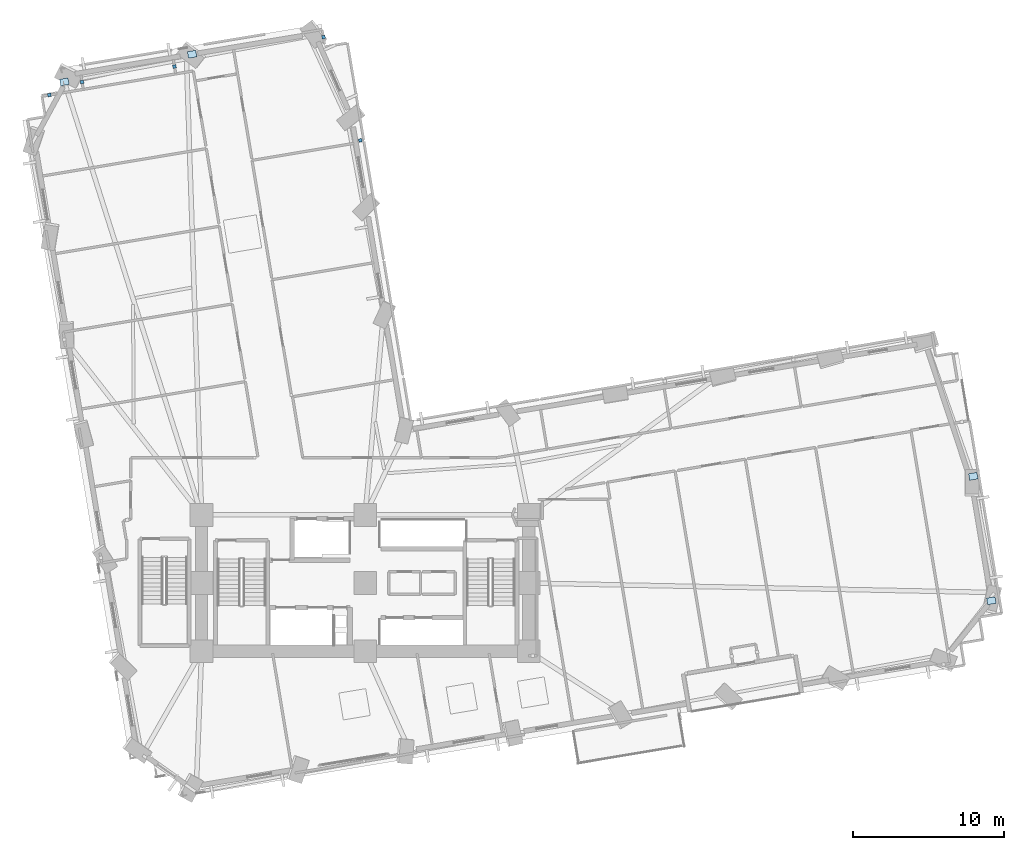
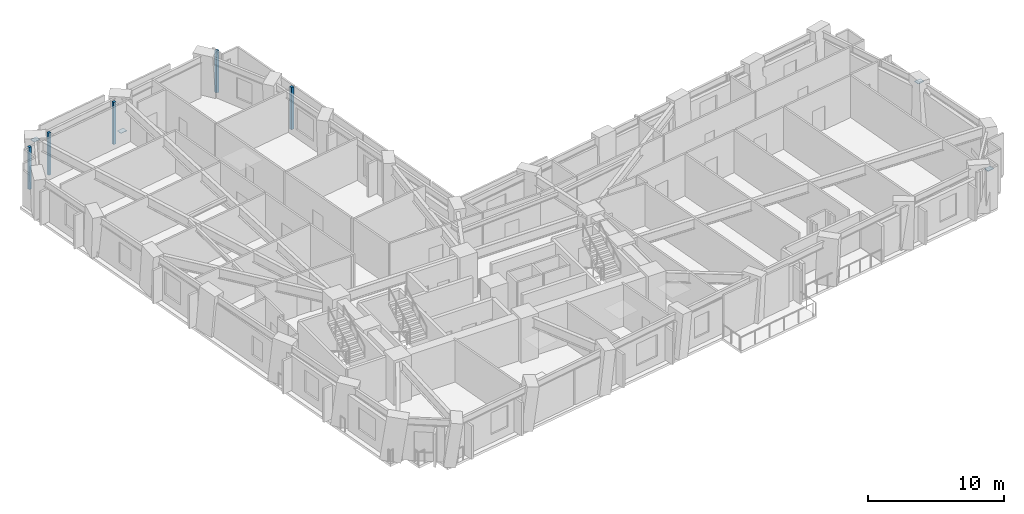
# One storey, part 7 of 16: 9 plates.
"""IFC4 building model written with IfcOpenShell, lengths in metres."""

from ifc_helpers import new_model, si_unit, direction, frame, origin, origin_2d, place, context, subcontext, project, spatial, rectangle, extrude, material, layer, layer_set, type_object, element, save


model = new_model("IFC4")

# Units and contexts
model_context = context("Model", 3, precision=1e-05, world=origin(), true_north=direction((0.0, 1.0)))
body_context = subcontext(model_context, "Body", "Model", "MODEL_VIEW")
ifc_project = project(units=[si_unit("LENGTHUNIT", "METRE"), si_unit("AREAUNIT", "SQUARE_METRE"), si_unit("VOLUMEUNIT", "CUBIC_METRE"), si_unit("PLANEANGLEUNIT", "RADIAN"), si_unit("MASSUNIT", "GRAM", prefix="KILO")], contexts=[model_context])

# Site, building, storey
site_placement = place(None, origin())
site = spatial("IfcSite", under=ifc_project, at=site_placement, CompositionType="ELEMENT")
building_placement = place(site_placement, origin())
building = spatial("IfcBuilding", under=site, at=building_placement, Name="Gaonmaruhae Medical Tower", CompositionType="ELEMENT")
storey_placement = place(building_placement, frame((0.0, 0.0, 63.0)))
storey = spatial("IfcBuildingStorey", under=building, at=storey_placement, Name="L14", CompositionType="ELEMENT", Elevation=63.0)

# Plates
ifc_material_1 = material(Name="Steel HSA650 (650 MPa)", Category="steel")
ifc_layer_1 = layer(ifc_material_1, 0.028076171875)
ifc_layer_set_1 = layer_set([ifc_layer_1], Name="Steel HSA650 (650 MPa)")
plate_type_1 = type_object("IfcPlateType", Name="GP-02 Tube Brace End Cap Gusset Plate", PredefinedType="USERDEFINED", material=ifc_layer_set_1)
for number, where, z_axis, x_axis, name in (
    (1, (66.15185546875, 11.13525390625, 0.23583984375), (0.0, 0.0, 1.0), (0.986285601537, 0.165047605861, 0.0), "L14 Gusset Cap Plate PLT-L14-PBR-E01A"),
    (2, (64.959228515625, 19.347412109375, 3.51611328125), (0.0, 0.0, 1.0), (0.983413563645, 0.181377404435, 0.0), "L14 Gusset Cap Plate PLT-L14-PBR-E01B"),
    (3, (13.372314453125, 47.218994140625, 0.23583984375), (0.0, 0.0, 1.0), (0.986285601537, 0.165047605861, 0.0), "L14 Gusset Cap Plate PLT-L14-PBR-N02A"),
    (4, (4.939453125, 45.393310546875, 3.51611328125), (0.0, 0.0, 1.0), (0.983413563645, 0.181377404435, 0.0), "L14 Gusset Cap Plate PLT-L14-PBR-N02B"),
):
    element("IfcPlate", number, at=place(storey_placement, frame(where, z_axis=z_axis, x_axis=x_axis)), inside=storey, type_object=plate_type_1, Name=name, ObjectType="GUSSET_PLATE", PredefinedType="USERDEFINED", context=body_context, shape_type="SweptSolid", body=[
        extrude(rectangle(XDim=0.56005859375, YDim=0.43994140625, at=origin_2d()), origin(), (0.0, 0.0, 1.0), 0.028076171875),
    ])
ifc_material_2 = material(Name="Anodised aluminium 6063-T6", Category="aluminium")
ifc_layer_2 = layer(ifc_material_2, 0.011962890625)
ifc_layer_set_2 = layer_set([ifc_layer_2], Name="Anodised aluminium 6063-T6")
plate_type_2 = type_object("IfcPlateType", Name="PP-01 Interior Partition Corner Stiffener Plate", PredefinedType="SHEET", material=ifc_layer_set_2)
for number, where, z_axis, x_axis, name in (
    (5, (3.948486328125, 44.526611328125, 0.0), (0.0, 0.0, 1.0), (0.986207715178, 0.165512363658, 0.0), "L14 Partition Corner Stiffener Plate PLT-L14-JGP-PW061"),
    (6, (24.4814453125, 41.529541015625, 0.0), (0.0, 0.0, 1.0), (-0.98602222088, -0.166613864764, 0.0), "L14 Partition Corner Stiffener Plate PLT-L14-JGP-PW097"),
    (7, (22.054443359375, 48.35009765625, 0.0), (0.0, 0.0, 1.0), (0.164754961771, -0.986334528733, 0.0), "L14 Partition Corner Stiffener Plate PLT-L14-JGP-PW100"),
    (8, (12.2099609375, 46.407958984375, 0.0), (0.0, 0.0, 1.0), (0.165082033622, -0.986279839688, 0.0), "L14 Partition Corner Stiffener Plate PLT-L14-JGP-PW103"),
    (9, (6.10498046875, 45.386962890625, 0.0), (0.0, 0.0, 1.0), (-0.165082033622, 0.986279839688, 0.0), "L14 Partition Corner Stiffener Plate PLT-L14-JGP-PW104"),
):
    element("IfcPlate", number, at=place(storey_placement, frame(where, z_axis=z_axis, x_axis=x_axis)), inside=storey, type_object=plate_type_2, Name=name, PredefinedType="SHEET", context=body_context, shape_type="SweptSolid", body=[
        extrude(rectangle(XDim=0.219970703125, YDim=0.219970703125, at=origin_2d()), origin(), (0.0, 0.0, 1.0), 3.780029296875),
    ])

save(model, "model.ifc")
